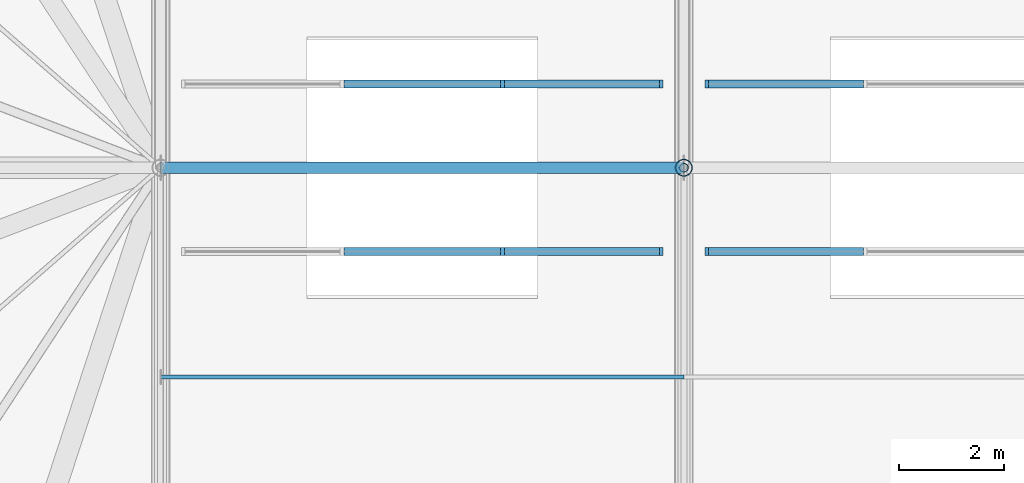
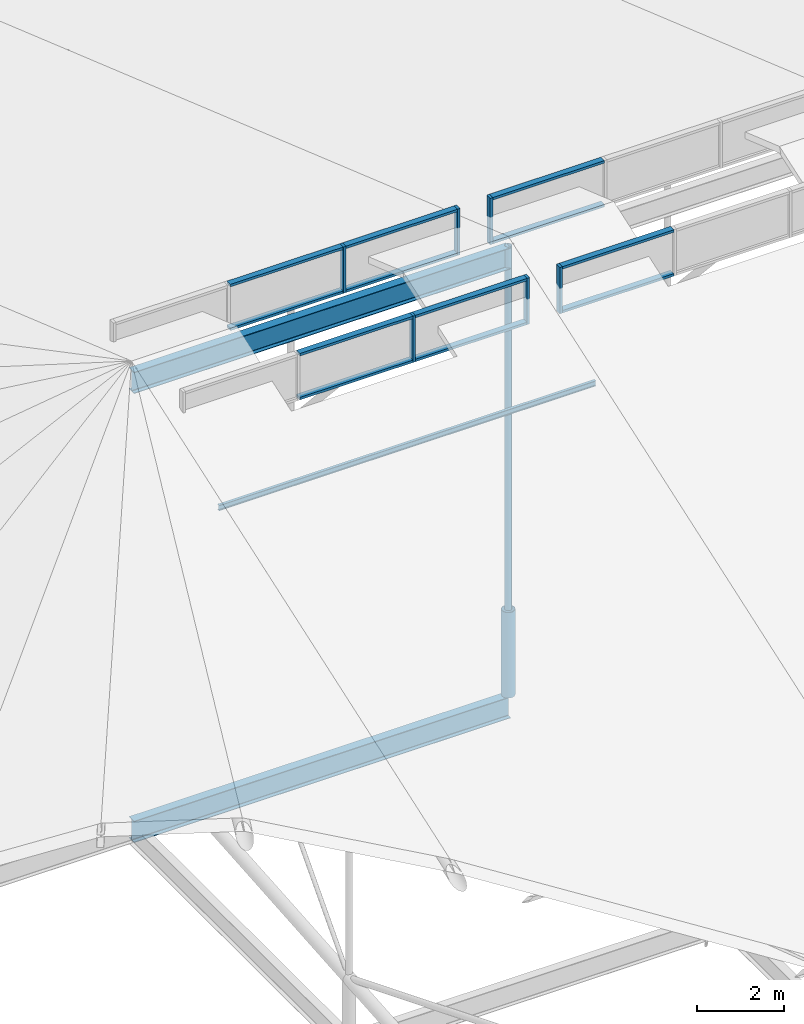
# One storey, part 29 of 93: 21 members, 2 beams, 4 elements without a shape of their own.
"""IFC4 building model written with IfcOpenShell, lengths in metres."""

import ifcopenshell
import ifcopenshell.guid

model = None  # the IFC model being written
_history = None  # IfcOwnerHistory: only IFC2X3 demands one
_inside = {}  # id of a spatial element -> (the spatial element, [elements in it])
_under = {}  # id of a project, library or spatial element -> (it, [spatial elements below it])
_declared = {}  # id of a project -> (the project, [libraries it declares])
_typed = {}  # id of a type object -> (the type object, [elements of that type])
_made_of = {}  # id of a material, layer set ... -> (it, [elements and type objects made of it])


def new_model(schema):
    """Start an empty IFC model of exactly this schema.

    Asked for "IFC4X3", IfcOpenShell would pick the latest addendum, in which some entities
    have other attributes; the version numbers below select the first issue.
    IFC2X3 requires an IfcOwnerHistory on every rooted entity: one is made here for all.
    """
    global model, _history
    if schema == "IFC4X3":
        model = ifcopenshell.file(schema_version=(4, 3, 0, 0))
    else:
        model = ifcopenshell.file(schema=schema)
    _inside.clear()
    _under.clear()
    _declared.clear()
    _typed.clear()
    _made_of.clear()
    _history = None
    if model.schema == "IFC2X3":
        org = make("IfcOrganization", Name="unknown")
        user = make(
            "IfcPersonAndOrganization",
            ThePerson=make("IfcPerson", FamilyName="unknown"),
            TheOrganization=org,
        )
        app = make(
            "IfcApplication",
            ApplicationDeveloper=org,
            Version="unknown",
            ApplicationFullName="unknown",
            ApplicationIdentifier="unknown",
        )
        _history = make(
            "IfcOwnerHistory",
            OwningUser=user,
            OwningApplication=app,
            ChangeAction="ADDED",
            CreationDate=0,
        )
    return model


def make(cls, **values):
    """One entity of the class cls with the attributes given. An attribute that is None is left unset."""
    return model.create_entity(
        cls, **{name: value for name, value in values.items() if value is not None}
    )


def rooted(cls, **values):
    """An entity with a GlobalId (a new one), such as an element, a storey or a relation."""
    return make(cls, GlobalId=ifcopenshell.guid.new(), OwnerHistory=_history, **values)


def si_unit(unit_type, name, prefix=None):
    """IfcSIUnit, for example si_unit("LENGTHUNIT", "METRE", prefix="MILLI")."""
    return make("IfcSIUnit", UnitType=unit_type, Prefix=prefix, Name=name)


def derived_unit(unit_type, elements):
    """IfcDerivedUnit: a product of units, each with its exponent."""
    return make(
        "IfcDerivedUnit",
        Elements=[
            make("IfcDerivedUnitElement", Unit=unit, Exponent=power)
            for unit, power in elements
        ],
        UnitType=unit_type,
    )


def assignment(units):
    """IfcUnitAssignment: the units of a project."""
    return None if units is None else make("IfcUnitAssignment", Units=units)


def point(xyz):
    """IfcCartesianPoint."""
    return None if xyz is None else make("IfcCartesianPoint", Coordinates=xyz)


def direction(xyz):
    """IfcDirection."""
    return None if xyz is None else make("IfcDirection", DirectionRatios=xyz)


def frame(location, z_axis=None, x_axis=None):
    """IfcAxis2Placement3D, a coordinate frame: its origin and axes. An axis left out is left unset."""
    return make(
        "IfcAxis2Placement3D",
        Location=point(location),
        Axis=direction(z_axis),
        RefDirection=direction(x_axis),
    )


def frame_2d(location, x_axis=None):
    """IfcAxis2Placement2D, a coordinate frame in the plane: its origin and x axis."""
    return make(
        "IfcAxis2Placement2D", Location=point(location), RefDirection=direction(x_axis)
    )


def origin():
    """The frame at (0, 0, 0) with its axes left unset."""
    return frame((0.0, 0.0, 0.0))


def origin_2d_with_axis():
    """The frame at (0, 0) in the plane with the x axis (1, 0) written out."""
    return frame_2d((0.0, 0.0), x_axis=(1.0, 0.0))


def place(relative_to, where):
    """IfcLocalPlacement: puts the frame where relative to a parent placement (None: the world)."""
    return make(
        "IfcLocalPlacement", PlacementRelTo=relative_to, RelativePlacement=where
    )


def context(
    kind, dimensions, precision=None, world=None, true_north=None, identifier=None
):
    """IfcGeometricRepresentationContext, for example the 3D "Model" context."""
    return make(
        "IfcGeometricRepresentationContext",
        ContextIdentifier=identifier,
        ContextType=kind,
        CoordinateSpaceDimension=dimensions,
        Precision=precision,
        WorldCoordinateSystem=world,
        TrueNorth=true_north,
    )


def subcontext(parent, identifier, kind, view, scale=None):
    """IfcGeometricRepresentationSubContext, for example "Body" below "Model"."""
    return make(
        "IfcGeometricRepresentationSubContext",
        ContextIdentifier=identifier,
        ContextType=kind,
        ParentContext=parent,
        TargetScale=scale,
        TargetView=view,
    )


def project(units=None, contexts=None):
    """IfcProject with its units and contexts."""
    return rooted(
        "IfcProject",
        Name="project",
        RepresentationContexts=contexts,
        UnitsInContext=assignment(units),
    )


def spatial(cls, under=None, at=None, **own):
    """A site, building, storey or space (cls), placed at a placement, below another one or the project."""
    s = rooted(cls, ObjectPlacement=at, **own)
    if under is not None:
        _under.setdefault(under.id(), (under, []))[1].append(s)
    return s


def profile(cls, at=None, kind="AREA", **sizes):
    """A parametric profile (cls). Its sizes go by their IFC names, for example OverallWidth=200.0."""
    return make(cls, ProfileType=kind, Position=at, **sizes)


def rectangle(**sizes):
    """IfcRectangleProfileDef."""
    return profile("IfcRectangleProfileDef", **sizes)


def hollow_circle(**sizes):
    """IfcCircleHollowProfileDef."""
    return profile("IfcCircleHollowProfileDef", **sizes)


def i_section(**sizes):
    """IfcIShapeProfileDef."""
    return profile("IfcIShapeProfileDef", **sizes)


def extrude(swept, where, along, depth):
    """IfcExtrudedAreaSolid: the profile swept, set in the frame where, extruded along a direction by depth."""
    return make(
        "IfcExtrudedAreaSolid",
        SweptArea=swept,
        Position=where,
        ExtrudedDirection=direction(along),
        Depth=depth,
    )


def shape(context_of_items, identifier, shape_type, items):
    """IfcShapeRepresentation: the items that make up one representation, for example the "Body"."""
    return make(
        "IfcShapeRepresentation",
        ContextOfItems=context_of_items,
        RepresentationIdentifier=identifier,
        RepresentationType=shape_type,
        Items=items,
    )


def material(Name=None, Category=None):
    """IfcMaterial."""
    return make("IfcMaterial", Name=Name, Category=Category)


def material_profile(
    of_material, cross_section, Name=None, Category=None, Priority=None
):
    """IfcMaterialProfile: a cross section and its material."""
    return make(
        "IfcMaterialProfile",
        Name=Name,
        Material=of_material,
        Profile=cross_section,
        Priority=Priority,
        Category=Category,
    )


def profile_set(profiles, Name=None, composite=None):
    """IfcMaterialProfileSet."""
    return make(
        "IfcMaterialProfileSet",
        Name=Name,
        MaterialProfiles=profiles,
        CompositeProfile=composite,
    )


def made_of(thing, what):
    """Note that an element or type object is made of a material, layer set ...; save() writes the relation."""
    if what is not None:
        _made_of.setdefault(what.id(), (what, []))[1].append(thing)
    return thing


def type_object(cls, material=None, **own):
    """A type object (cls), such as IfcWallType, which elements share."""
    return made_of(rooted(cls, **own), material)


def element(
    cls,
    number,
    at=None,
    inside=None,
    cuts=None,
    type_object=None,
    material=None,
    context=None,
    identifier="Body",
    shape_type=None,
    held_by="IfcProductDefinitionShape",
    body=None,
    shapes=None,
    **own,
):
    """One element of the class cls, such as IfcWall. Its Tag is "e" and its number.

    at: its placement. inside: the storey or other place that contains it. cuts: it is an
    opening in that element (IfcRelVoidsElement). A single representation is given by context,
    identifier, shape_type and body (its items); several are given by shapes. held_by: the class
    of the entity that holds the representations. save() writes the other relations.
    """
    e = rooted(cls, Tag="e%d" % number, ObjectPlacement=at, **own)
    if body is not None:
        shapes = [shape(context, identifier, shape_type, body)]
    if shapes is not None:
        e.Representation = make(held_by, Representations=shapes)
    if inside is not None:
        _inside.setdefault(inside.id(), (inside, []))[1].append(e)
    if cuts is not None:
        rooted(
            "IfcRelVoidsElement", RelatingBuildingElement=cuts, RelatedOpeningElement=e
        )
    if type_object is not None:
        _typed.setdefault(type_object.id(), (type_object, []))[1].append(e)
    return made_of(e, material)


def aggregate(whole, parts):
    """IfcRelAggregates: a whole, such as a stair, and the parts it consists of."""
    return rooted("IfcRelAggregates", RelatingObject=whole, RelatedObjects=parts)


def save(model, path):
    """Write the relations noted so far, then the file.

    IfcRelAggregates (storeys below a building ...), IfcRelContainedInSpatialStructure (elements
    in a storey), IfcRelDefinesByType, IfcRelAssociatesMaterial and IfcRelDeclares: one each for
    every whole, place, type object, material and project.
    """
    for whole, parts in _under.values():
        aggregate(whole, parts)
    for where, things in _inside.values():
        rooted(
            "IfcRelContainedInSpatialStructure",
            RelatedElements=things,
            RelatingStructure=where,
        )
    for kind, things in _typed.values():
        rooted("IfcRelDefinesByType", RelatedObjects=things, RelatingType=kind)
    for what, things in _made_of.values():
        rooted("IfcRelAssociatesMaterial", RelatedObjects=things, RelatingMaterial=what)
    for by, libraries in _declared.values():
        rooted("IfcRelDeclares", RelatingContext=by, RelatedDefinitions=libraries)
    model.write(path)


model = new_model("IFC4")

# Units and contexts
model_context = context("Model", 3, precision=1e-05, world=origin(), true_north=direction((0.0, 1.0)))
body_context = subcontext(model_context, "Body", "Model", "MODEL_VIEW")
ifc_project = project(units=[si_unit("LENGTHUNIT", "METRE"), si_unit("AREAUNIT", "SQUARE_METRE"), si_unit("VOLUMEUNIT", "CUBIC_METRE"), si_unit("PLANEANGLEUNIT", "RADIAN"), si_unit("MASSUNIT", "GRAM", prefix="KILO"), derived_unit("THERMALTRANSMITTANCEUNIT", [(si_unit("POWERUNIT", "WATT"), 1), (si_unit("LENGTHUNIT", "METRE"), -2), (si_unit("THERMODYNAMICTEMPERATUREUNIT", "KELVIN"), -1)])], contexts=[model_context])

# Site, building, storey
site_placement = place(None, origin())
site = spatial("IfcSite", under=ifc_project, at=site_placement, CompositionType="ELEMENT")
building_placement = place(site_placement, origin())
building = spatial("IfcBuilding", under=site, at=building_placement, Name="Cinnabar Yard Market Hall", CompositionType="ELEMENT")
storey_placement = place(building_placement, frame((0.0, 0.0, 23.800048828125)))
storey = spatial("IfcBuildingStorey", under=building, at=storey_placement, Name="ROOF", CompositionType="ELEMENT", Elevation=23.800048828125)

# Beams
ifc_material_1 = material(Name="Steel Grade 300 (300 MPa)", Category="steel")
ifc_material_profile_1 = material_profile(ifc_material_1, i_section(OverallWidth=0.22802734375, OverallDepth=0.60205078125, WebThickness=0.010498046875, FlangeThickness=0.014892578125, FilletRadius=0.013916015625, at=origin_2d_with_axis()), Name="610UB101")
ifc_profile_set_1 = profile_set([ifc_material_profile_1], Name="Steel Grade 300 (300 MPa)")
beam_type = type_object("IfcBeamType", Name="BM-B02", PredefinedType="BEAM", material=ifc_profile_set_1)
for number, where, z_axis, x_axis, name in (
    (1, (86.0, 44.0, -9.700927734375), (1.0, 0.0, 0.0), (0.0, 1.0, 0.0), "Hall Longitudinal Tie Girder 00389"),
    (2, (86.0, 44.0, 2.89892578125), (1.0, 0.0, 0.0), (0.0, 1.0, 0.0), "Market Hall Ridge Girder 01592"),
):
    element("IfcBeam", number, at=place(storey_placement, frame(where, z_axis=z_axis, x_axis=x_axis)), inside=storey, type_object=beam_type, Name=name, PredefinedType="BEAM", context=body_context, shape_type="SweptSolid", body=[
        extrude(i_section(OverallWidth=0.22802734375, OverallDepth=0.60205078125, WebThickness=0.010498046875, FlangeThickness=0.014892578125, FilletRadius=0.013916015625, at=origin_2d_with_axis()), origin(), (0.0, 0.0, 1.0), 10.0),
    ])

# Curtain wall, members
ifc_material_2 = material(Name="Anodised aluminium ridge clerestory", Category="aluminium")
curtain_wall_type = type_object("IfcCurtainWallType", Name="CW-CWR092x13", PredefinedType="NOTDEFINED", material=ifc_material_2)
curtain_wall_1_placement = place(storey_placement, origin())
curtain_wall_1 = element("IfcCurtainWall", 3, at=curtain_wall_1_placement, inside=storey, type_object=curtain_wall_type, Name="South Ridge Clerestory 1", PredefinedType="NOTDEFINED")
ifc_material_3 = material(Name="Anodised bronze aluminium", Category="aluminium")
ifc_material_profile_2 = material_profile(ifc_material_3, rectangle(XDim=0.159912109375, YDim=0.070068359375, at=origin_2d_with_axis()), Name="MUL-CWR")
ifc_profile_set_2 = profile_set([ifc_material_profile_2], Name="Anodised bronze aluminium")
member_type_1 = type_object("IfcMemberType", Name="CWM-CWR", PredefinedType="MULLION", material=ifc_profile_set_2)
member_1_placement = place(storey_placement, frame((92.533447265625, 42.39990234375, 2.14990234375), z_axis=(0.0, 0.0, 1.0), x_axis=(0.0, 1.0, 0.0)))
member_1 = element("IfcMember", 4, at=member_1_placement, type_object=member_type_1, Name="CWR092x13 mullion 3", PredefinedType="MULLION", context=body_context, shape_type="SweptSolid", body=[
    extrude(rectangle(XDim=0.159912109375, YDim=0.070068359375, at=origin_2d_with_axis()), origin(), (0.0, 0.0, 1.0), 1.300048828125),
])
member_2_placement = place(storey_placement, frame((95.56494140625, 42.39990234375, 2.14990234375), z_axis=(0.0, 0.0, 1.0), x_axis=(0.0, 1.0, 0.0)))
member_2 = element("IfcMember", 5, at=member_2_placement, type_object=member_type_1, Name="CWR092x13 mullion 4", PredefinedType="MULLION", context=body_context, shape_type="SweptSolid", body=[
    extrude(rectangle(XDim=0.159912109375, YDim=0.070068359375, at=origin_2d_with_axis()), origin(), (0.0, 0.0, 1.0), 1.300048828125),
])

curtain_wall_2_placement = place(storey_placement, origin())
curtain_wall_2 = element("IfcCurtainWall", 6, at=curtain_wall_2_placement, inside=storey, type_object=curtain_wall_type, Name="North Ridge Clerestory 1", PredefinedType="NOTDEFINED")
member_3_placement = place(storey_placement, frame((95.56494140625, 45.60009765625, 2.14990234375), z_axis=(0.0, 0.0, 1.0), x_axis=(0.0, -1.0, 0.0)))
member_3 = element("IfcMember", 7, at=member_3_placement, type_object=member_type_1, Name="CWR092x13 mullion 1", PredefinedType="MULLION", context=body_context, shape_type="SweptSolid", body=[
    extrude(rectangle(XDim=0.159912109375, YDim=0.070068359375, at=origin_2d_with_axis()), origin(), (0.0, 0.0, 1.0), 1.300048828125),
])
member_4_placement = place(storey_placement, frame((92.533447265625, 45.60009765625, 2.14990234375), z_axis=(0.0, 0.0, 1.0), x_axis=(0.0, -1.0, 0.0)))
member_4 = element("IfcMember", 8, at=member_4_placement, type_object=member_type_1, Name="CWR092x13 mullion 2", PredefinedType="MULLION", context=body_context, shape_type="SweptSolid", body=[
    extrude(rectangle(XDim=0.159912109375, YDim=0.070068359375, at=origin_2d_with_axis()), origin(), (0.0, 0.0, 1.0), 1.300048828125),
])

# Curtain wall, member
curtain_wall_3_placement = place(storey_placement, origin())
curtain_wall_3 = element("IfcCurtainWall", 9, at=curtain_wall_3_placement, inside=storey, type_object=curtain_wall_type, Name="South Ridge Clerestory 2", PredefinedType="NOTDEFINED")
member_5_placement = place(storey_placement, frame((96.43505859375, 42.39990234375, 2.14990234375), z_axis=(0.0, 0.0, 1.0), x_axis=(0.0, 1.0, 0.0)))
member_5 = element("IfcMember", 10, at=member_5_placement, type_object=member_type_1, Name="CWR092x13 mullion 1", PredefinedType="MULLION", context=body_context, shape_type="SweptSolid", body=[
    extrude(rectangle(XDim=0.159912109375, YDim=0.070068359375, at=origin_2d_with_axis()), origin(), (0.0, 0.0, 1.0), 1.300048828125),
])

curtain_wall_4_placement = place(storey_placement, origin())
curtain_wall_4 = element("IfcCurtainWall", 11, at=curtain_wall_4_placement, inside=storey, type_object=curtain_wall_type, Name="North Ridge Clerestory 2", PredefinedType="NOTDEFINED")
member_6_placement = place(storey_placement, frame((96.43505859375, 45.60009765625, 2.14990234375), z_axis=(0.0, 0.0, 1.0), x_axis=(0.0, -1.0, 0.0)))
member_6 = element("IfcMember", 12, at=member_6_placement, type_object=member_type_1, Name="CWR092x13 mullion 4", PredefinedType="MULLION", context=body_context, shape_type="SweptSolid", body=[
    extrude(rectangle(XDim=0.159912109375, YDim=0.070068359375, at=origin_2d_with_axis()), origin(), (0.0, 0.0, 1.0), 1.300048828125),
])

# Member
ifc_material_profile_3 = material_profile(ifc_material_3, rectangle(XDim=0.159912109375, YDim=0.070068359375, at=origin_2d_with_axis()), Name="TRN-CWR")
ifc_profile_set_3 = profile_set([ifc_material_profile_3], Name="Anodised bronze aluminium")
member_type_2 = type_object("IfcMemberType", Name="CWT-CWR", PredefinedType="USERDEFINED", material=ifc_profile_set_3)
member_7_placement = place(storey_placement, frame((89.501708984375, 42.39990234375, 2.18505859375), z_axis=(1.0, 0.0, 0.0), x_axis=(0.0, 1.0, 0.0)))
member_7 = element("IfcMember", 13, at=member_7_placement, type_object=member_type_2, Name="CWR092x13 transom 2.1", ObjectType="TRANSOM", PredefinedType="USERDEFINED", context=body_context, shape_type="SweptSolid", body=[
    extrude(rectangle(XDim=0.159912109375, YDim=0.070068359375, at=origin_2d_with_axis()), origin(), (0.0, 0.0, 1.0), 2.99658203125),
])

member_8_placement = place(storey_placement, frame((89.501708984375, 42.39990234375, 3.4150390625), z_axis=(1.0, 0.0, 0.0), x_axis=(0.0, 1.0, 0.0)))
member_8 = element("IfcMember", 14, at=member_8_placement, type_object=member_type_2, Name="CWR092x13 transom 2.2", ObjectType="TRANSOM", PredefinedType="USERDEFINED", context=body_context, shape_type="SweptSolid", body=[
    extrude(rectangle(XDim=0.159912109375, YDim=0.070068359375, at=origin_2d_with_axis()), origin(), (0.0, 0.0, 1.0), 2.99658203125),
])

member_9_placement = place(storey_placement, frame((92.568359375, 42.39990234375, 2.18505859375), z_axis=(1.0, 0.0, 0.0), x_axis=(0.0, 1.0, 0.0)))
member_9 = element("IfcMember", 15, at=member_9_placement, type_object=member_type_2, Name="CWR092x13 transom 3.1", ObjectType="TRANSOM", PredefinedType="USERDEFINED", context=body_context, shape_type="SweptSolid", body=[
    extrude(rectangle(XDim=0.159912109375, YDim=0.070068359375, at=origin_2d_with_axis()), origin(), (0.0, 0.0, 1.0), 2.961669921875),
])

member_10_placement = place(storey_placement, frame((92.568359375, 42.39990234375, 3.4150390625), z_axis=(1.0, 0.0, 0.0), x_axis=(0.0, 1.0, 0.0)))
member_10 = element("IfcMember", 16, at=member_10_placement, type_object=member_type_2, Name="CWR092x13 transom 3.2", ObjectType="TRANSOM", PredefinedType="USERDEFINED", context=body_context, shape_type="SweptSolid", body=[
    extrude(rectangle(XDim=0.159912109375, YDim=0.070068359375, at=origin_2d_with_axis()), origin(), (0.0, 0.0, 1.0), 2.961669921875),
])

aggregate(curtain_wall_1, [member_1, member_2, member_7, member_8, member_9, member_10])

member_11_placement = place(storey_placement, frame((95.530029296875, 45.60009765625, 2.18505859375), z_axis=(-1.0, 0.0, 0.0), x_axis=(0.0, -1.0, 0.0)))
member_11 = element("IfcMember", 17, at=member_11_placement, type_object=member_type_2, Name="CWR092x13 transom 1.1", ObjectType="TRANSOM", PredefinedType="USERDEFINED", context=body_context, shape_type="SweptSolid", body=[
    extrude(rectangle(XDim=0.159912109375, YDim=0.070068359375, at=origin_2d_with_axis()), origin(), (0.0, 0.0, 1.0), 2.961669921875),
])

member_12_placement = place(storey_placement, frame((95.530029296875, 45.60009765625, 3.4150390625), z_axis=(-1.0, 0.0, 0.0), x_axis=(0.0, -1.0, 0.0)))
member_12 = element("IfcMember", 18, at=member_12_placement, type_object=member_type_2, Name="CWR092x13 transom 1.2", ObjectType="TRANSOM", PredefinedType="USERDEFINED", context=body_context, shape_type="SweptSolid", body=[
    extrude(rectangle(XDim=0.159912109375, YDim=0.070068359375, at=origin_2d_with_axis()), origin(), (0.0, 0.0, 1.0), 2.961669921875),
])

member_13_placement = place(storey_placement, frame((92.498291015625, 45.60009765625, 2.18505859375), z_axis=(-1.0, 0.0, 0.0), x_axis=(0.0, -1.0, 0.0)))
member_13 = element("IfcMember", 19, at=member_13_placement, type_object=member_type_2, Name="CWR092x13 transom 2.1", ObjectType="TRANSOM", PredefinedType="USERDEFINED", context=body_context, shape_type="SweptSolid", body=[
    extrude(rectangle(XDim=0.159912109375, YDim=0.070068359375, at=origin_2d_with_axis()), origin(), (0.0, 0.0, 1.0), 2.99658203125),
])

member_14_placement = place(storey_placement, frame((92.498291015625, 45.60009765625, 3.4150390625), z_axis=(-1.0, 0.0, 0.0), x_axis=(0.0, -1.0, 0.0)))
member_14 = element("IfcMember", 20, at=member_14_placement, type_object=member_type_2, Name="CWR092x13 transom 2.2", ObjectType="TRANSOM", PredefinedType="USERDEFINED", context=body_context, shape_type="SweptSolid", body=[
    extrude(rectangle(XDim=0.159912109375, YDim=0.070068359375, at=origin_2d_with_axis()), origin(), (0.0, 0.0, 1.0), 2.99658203125),
])

aggregate(curtain_wall_2, [member_3, member_4, member_11, member_12, member_13, member_14])

member_15_placement = place(storey_placement, frame((96.469970703125, 42.39990234375, 2.18505859375), z_axis=(1.0, 0.0, 0.0), x_axis=(0.0, 1.0, 0.0)))
member_15 = element("IfcMember", 21, at=member_15_placement, type_object=member_type_2, Name="CWR092x13 transom 1.1", ObjectType="TRANSOM", PredefinedType="USERDEFINED", context=body_context, shape_type="SweptSolid", body=[
    extrude(rectangle(XDim=0.159912109375, YDim=0.070068359375, at=origin_2d_with_axis()), origin(), (0.0, 0.0, 1.0), 2.961669921875),
])

member_16_placement = place(storey_placement, frame((96.469970703125, 42.39990234375, 3.4150390625), z_axis=(1.0, 0.0, 0.0), x_axis=(0.0, 1.0, 0.0)))
member_16 = element("IfcMember", 22, at=member_16_placement, type_object=member_type_2, Name="CWR092x13 transom 1.2", ObjectType="TRANSOM", PredefinedType="USERDEFINED", context=body_context, shape_type="SweptSolid", body=[
    extrude(rectangle(XDim=0.159912109375, YDim=0.070068359375, at=origin_2d_with_axis()), origin(), (0.0, 0.0, 1.0), 2.961669921875),
])

aggregate(curtain_wall_3, [member_5, member_15, member_16])

member_17_placement = place(storey_placement, frame((99.431640625, 45.60009765625, 2.18505859375), z_axis=(-1.0, 0.0, 0.0), x_axis=(0.0, -1.0, 0.0)))
member_17 = element("IfcMember", 23, at=member_17_placement, type_object=member_type_2, Name="CWR092x13 transom 3.1", ObjectType="TRANSOM", PredefinedType="USERDEFINED", context=body_context, shape_type="SweptSolid", body=[
    extrude(rectangle(XDim=0.159912109375, YDim=0.070068359375, at=origin_2d_with_axis()), origin(), (0.0, 0.0, 1.0), 2.961669921875),
])

member_18_placement = place(storey_placement, frame((99.431640625, 45.60009765625, 3.4150390625), z_axis=(-1.0, 0.0, 0.0), x_axis=(0.0, -1.0, 0.0)))
member_18 = element("IfcMember", 24, at=member_18_placement, type_object=member_type_2, Name="CWR092x13 transom 3.2", ObjectType="TRANSOM", PredefinedType="USERDEFINED", context=body_context, shape_type="SweptSolid", body=[
    extrude(rectangle(XDim=0.159912109375, YDim=0.070068359375, at=origin_2d_with_axis()), origin(), (0.0, 0.0, 1.0), 2.961669921875),
])

aggregate(curtain_wall_4, [member_6, member_17, member_18])

# Members
ifc_material_profile_4 = material_profile(ifc_material_1, i_section(OverallWidth=0.074951171875, OverallDepth=0.14990234375, WebThickness=0.0048828125, FlangeThickness=0.007080078125, FilletRadius=0.008056640625, at=origin_2d_with_axis()), Name="150UB14.0")
ifc_profile_set_4 = profile_set([ifc_material_profile_4], Name="Steel Grade 300 (300 MPa)")
member_type_3 = type_object("IfcMemberType", Name="MB-PU07", PredefinedType="PURLIN", material=ifc_profile_set_4)
member_19_placement = place(storey_placement, frame((86.0, 40.0, 1.767578125), z_axis=(1.0, 0.0, 0.0), x_axis=(0.0, 1.0, 0.0)))
element("IfcMember", 25, at=member_19_placement, inside=storey, type_object=member_type_3, Name="Hall Roof Purlin Y40 X86", PredefinedType="PURLIN", context=body_context, shape_type="SweptSolid", body=[
    extrude(i_section(OverallWidth=0.074951171875, OverallDepth=0.14990234375, WebThickness=0.0048828125, FlangeThickness=0.007080078125, FilletRadius=0.008056640625, at=origin_2d_with_axis()), origin(), (0.0, 0.0, 1.0), 10.0),
])
ifc_material_4 = material(Name="Spotted-gum glulam-clad steel Grade 350 (350 MPa)", Category="steel")
ifc_material_profile_5 = material_profile(ifc_material_4, hollow_circle(Radius=0.161865234375, WallThickness=0.009521484375, at=origin_2d_with_axis()), Name="323.9x9.5CHS")
ifc_profile_set_5 = profile_set([ifc_material_profile_5], Name="Spotted-gum glulam-clad steel Grade 350 (350 MPa)")
member_type_4 = type_object("IfcMemberType", Name="MB-ST01", PredefinedType="STRUT", material=ifc_profile_set_5)
member_20_placement = place(storey_placement, frame((96.0, 44.0, -9.400146484375), z_axis=(0.0, 0.0, 1.0), x_axis=(1.0, 0.0, 0.0)))
element("IfcMember", 26, at=member_20_placement, inside=storey, type_object=member_type_4, Name="Truss Bearing Post 96-44", PredefinedType="STRUT", context=body_context, shape_type="SweptSolid", body=[
    extrude(hollow_circle(Radius=0.161865234375, WallThickness=0.009521484375, at=origin_2d_with_axis()), origin(), (0.0, 0.0, 1.0), 2.400146484375),
])
ifc_material_5 = material(Name="Cold-formed steel C350L0", Category="steel")
ifc_material_profile_6 = material_profile(ifc_material_5, hollow_circle(Radius=0.084228515625, WallThickness=0.00634765625, at=origin_2d_with_axis()), Name="168.3x6.4CHS")
ifc_profile_set_6 = profile_set([ifc_material_profile_6], Name="Cold-formed steel C350L0")
member_type_5 = type_object("IfcMemberType", Name="MB-WB01", PredefinedType="STRUT", material=ifc_profile_set_6)
member_21_placement = place(storey_placement, frame((96.0, 44.0, -7.0), z_axis=(0.0, 0.0, 1.0), x_axis=(1.0, 0.0, 0.0)))
element("IfcMember", 27, at=member_21_placement, inside=storey, type_object=member_type_5, Name="Hall Truss 96 Post 3", PredefinedType="STRUT", context=body_context, shape_type="SweptSolid", body=[
    extrude(hollow_circle(Radius=0.084228515625, WallThickness=0.00634765625, at=origin_2d_with_axis()), origin(), (0.0, 0.0, 1.0), 10.199951171875),
])

save(model, "model.ifc")
